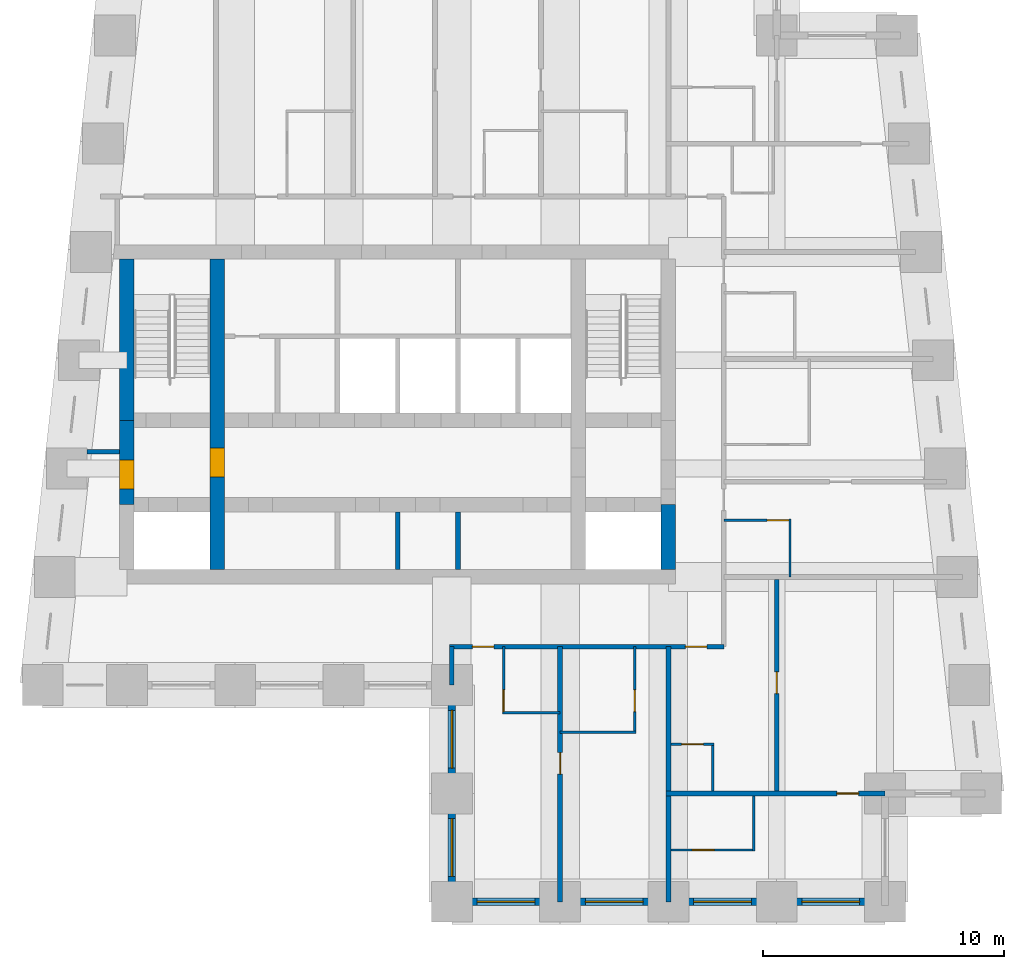
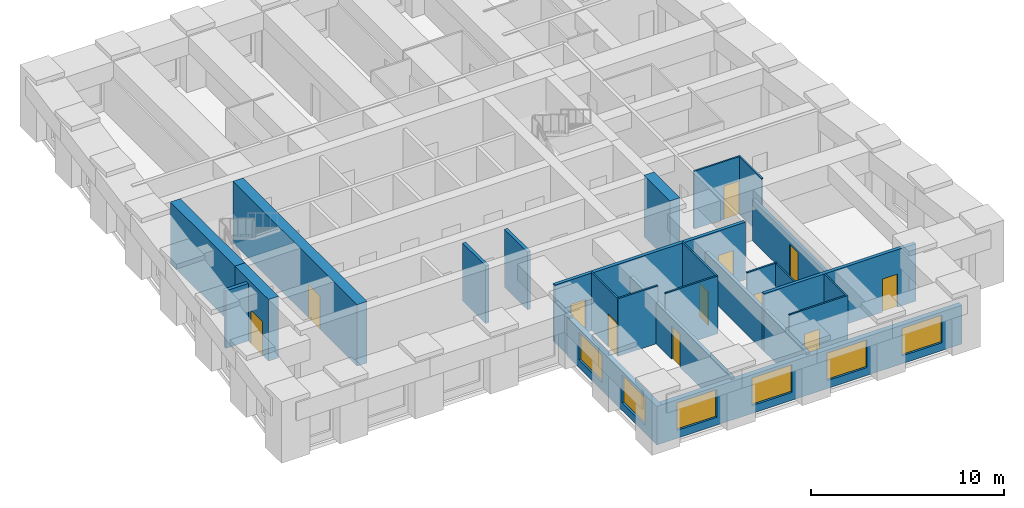
# One storey, part 2 of 7: 25 walls, 12 doors, 6 windows, 18 openings.
"""IFC4 building model written with IfcOpenShell, lengths in metres."""

from ifc_helpers import new_model, si_unit, direction, frame, frame_2d, origin, place, context, subcontext, project, spatial, rectangle, extrude, material, layer, layer_set, type_object, element, fill, save


model = new_model("IFC4")

# Units and contexts
model_context = context("Model", 3, precision=1e-05, world=origin(), true_north=direction((0.0, 1.0)))
body_context = subcontext(model_context, "Body", "Model", "MODEL_VIEW")
ifc_project = project(units=[si_unit("LENGTHUNIT", "METRE"), si_unit("AREAUNIT", "SQUARE_METRE"), si_unit("VOLUMEUNIT", "CUBIC_METRE"), si_unit("PLANEANGLEUNIT", "RADIAN"), si_unit("MASSUNIT", "GRAM", prefix="KILO")], contexts=[model_context])

# Site, building, storey
site_placement = place(None, origin())
site = spatial("IfcSite", under=ifc_project, at=site_placement, CompositionType="ELEMENT")
building_placement = place(site_placement, origin())
building = spatial("IfcBuilding", under=site, at=building_placement, Name="Kilele Tower Hotel", CompositionType="ELEMENT")
storey_placement = place(building_placement, frame((0.0, 0.0, 240.800048828125)))
storey = spatial("IfcBuildingStorey", under=building, at=storey_placement, Name="L62", CompositionType="ELEMENT", Elevation=240.800048828125)

# Wall
ifc_material_1 = material(Name="Moisture-resistant board")
ifc_layer_1 = layer(ifc_material_1, 0.10009765625)
ifc_layer_set_1 = layer_set([ifc_layer_1], Name="Moisture-resistant board")
wall_type_1 = type_object("IfcWallType", Name="Bathroom partition 100", PredefinedType="PLUMBINGWALL", material=ifc_layer_set_1)
wall_1_placement = place(storey_placement, frame((29.10009765625, 7.85009765625, 0.0), z_axis=(0.0, 0.0, 1.0), x_axis=(1.0, 0.0, 0.0)))
element("IfcWall", 1, at=wall_1_placement, inside=storey, type_object=wall_type_1, Name="Bathroom partition 100 L62", PredefinedType="PLUMBINGWALL", context=body_context, shape_type="SweptSolid", body=[
    extrude(rectangle(XDim=2.39990234375, YDim=0.10009765625, at=frame_2d((1.199951171875, 0.0))), origin(), (0.0, 0.0, 1.0), 3.64990234375),
])

# Wall, opening, door
wall_2_placement = place(storey_placement, frame((29.14990234375, 10.60009765625, 0.0), z_axis=(0.0, 0.0, 1.0), x_axis=(0.0, -1.0, 0.0)))
wall_2 = element("IfcWall", 2, at=wall_2_placement, inside=storey, type_object=wall_type_1, Name="Bathroom partition 100 L62", PredefinedType="PLUMBINGWALL", context=body_context, shape_type="SweptSolid", body=[
    extrude(rectangle(XDim=2.800048828125, YDim=0.10009765625, at=frame_2d((1.39990234375, 0.0))), origin(), (0.0, 0.0, 1.0), 3.64990234375),
])
opening_1_placement = place(wall_2_placement, frame((2.699951171875, 0.0, 0.0), z_axis=(0.0, 0.0, 1.0), x_axis=(-1.0, 0.0, 0.0)))
opening_1 = element("IfcOpeningElement", 3, at=opening_1_placement, cuts=wall_2, Name="Opening D2A", PredefinedType="OPENING", context=body_context, shape_type="SweptSolid", body=[
    extrude(rectangle(XDim=0.89990234375, YDim=2.10009765625, at=frame_2d((0.449951171875, 1.050048828125))), frame((0.0, 0.06005859375, 0.0), z_axis=(0.0, -1.0, 0.0), x_axis=(1.0, 0.0, 0.0)), (0.0, 0.0, 1.0), 0.1201171875),
])
ifc_material_2 = material(Name="Timber door leaf in hardwood frame", Category="wood")
door_type_1 = type_object("IfcDoorType", Name="Bathroom door 900", OperationType="SINGLE_SWING_LEFT", PredefinedType="DOOR", material=ifc_material_2)
door_1_placement = place(opening_1_placement, origin())
door_1 = element("IfcDoor", 4, at=door_1_placement, inside=storey, type_object=door_type_1, Name="Bathroom door 6202B", OperationType="SINGLE_SWING_LEFT", OverallHeight=2.10009765625, OverallWidth=0.89990234375, PredefinedType="DOOR", context=body_context, shape_type="SweptSolid", body=[
    extrude(rectangle(XDim=0.89990234375, YDim=2.10009765625, at=frame_2d((0.449951171875, 1.050048828125))), frame((0.0, 0.02490234375, 0.0), z_axis=(0.0, -1.0, 0.0), x_axis=(1.0, 0.0, 0.0)), (0.0, 0.0, 1.0), 0.050048828125),
])
fill(opening_1, door_1)

# Wall
wall_3_placement = place(storey_placement, frame((31.5, 7.050048828125, 0.0), z_axis=(0.0, 0.0, 1.0), x_axis=(1.0, 0.0, 0.0)))
element("IfcWall", 5, at=wall_3_placement, inside=storey, type_object=wall_type_1, Name="Bathroom partition 100 L62", PredefinedType="PLUMBINGWALL", context=body_context, shape_type="SweptSolid", body=[
    extrude(rectangle(XDim=3.14990234375, YDim=0.10009765625, at=frame_2d((1.574951171875, 0.0))), origin(), (0.0, 0.0, 1.0), 3.64990234375),
])

# Wall, opening, door
wall_4_placement = place(storey_placement, frame((34.60009765625, 10.60009765625, 0.0), z_axis=(0.0, 0.0, 1.0), x_axis=(0.0, -1.0, 0.0)))
wall_4 = element("IfcWall", 6, at=wall_4_placement, inside=storey, type_object=wall_type_1, Name="Bathroom partition 100 L62", PredefinedType="PLUMBINGWALL", context=body_context, shape_type="SweptSolid", body=[
    extrude(rectangle(XDim=3.60009765625, YDim=0.10009765625, at=frame_2d((1.800048828125, 0.0))), origin(), (0.0, 0.0, 1.0), 3.64990234375),
])
opening_2_placement = place(wall_4_placement, frame((1.800048828125, 0.0, 0.0)))
opening_2 = element("IfcOpeningElement", 7, at=opening_2_placement, cuts=wall_4, Name="Opening D2A", PredefinedType="OPENING", context=body_context, shape_type="SweptSolid", body=[
    extrude(rectangle(XDim=0.89990234375, YDim=2.10009765625, at=frame_2d((0.449951171875, 1.050048828125))), frame((0.0, 0.06005859375, 0.0), z_axis=(0.0, -1.0, 0.0), x_axis=(1.0, 0.0, 0.0)), (0.0, 0.0, 1.0), 0.1201171875),
])
door_2_placement = place(opening_2_placement, origin())
door_2 = element("IfcDoor", 8, at=door_2_placement, inside=storey, type_object=door_type_1, Name="Bathroom door 6203B", OperationType="SINGLE_SWING_RIGHT", OverallHeight=2.10009765625, OverallWidth=0.89990234375, PredefinedType="DOOR", context=body_context, shape_type="SweptSolid", body=[
    extrude(rectangle(XDim=0.89990234375, YDim=2.10009765625, at=frame_2d((0.449951171875, 1.050048828125))), frame((0.0, 0.02490234375, 0.0), z_axis=(0.0, -1.0, 0.0), x_axis=(1.0, 0.0, 0.0)), (0.0, 0.0, 1.0), 0.050048828125),
])
fill(opening_2, door_2)

# Wall
wall_5_placement = place(storey_placement, frame((41.050048828125, 13.5, 0.0), z_axis=(0.0, 0.0, 1.0), x_axis=(0.0, 1.0, 0.0)))
element("IfcWall", 9, at=wall_5_placement, inside=storey, type_object=wall_type_1, Name="Bathroom partition 100 L62", PredefinedType="PLUMBINGWALL", context=body_context, shape_type="SweptSolid", body=[
    extrude(rectangle(XDim=2.39990234375, YDim=0.10009765625, at=frame_2d((1.199951171875, 0.0))), origin(), (0.0, 0.0, 1.0), 3.64990234375),
])

# Wall, opening, door
wall_6_placement = place(storey_placement, frame((38.300048828125, 15.85009765625, 0.0), z_axis=(0.0, 0.0, 1.0), x_axis=(1.0, 0.0, 0.0)))
wall_6 = element("IfcWall", 10, at=wall_6_placement, inside=storey, type_object=wall_type_1, Name="Bathroom partition 100 L62", PredefinedType="PLUMBINGWALL", context=body_context, shape_type="SweptSolid", body=[
    extrude(rectangle(XDim=2.800048828125, YDim=0.10009765625, at=frame_2d((1.39990234375, 0.0))), origin(), (0.0, 0.0, 1.0), 3.64990234375),
])
opening_3_placement = place(wall_6_placement, frame((1.800048828125, 0.0, 0.0)))
opening_3 = element("IfcOpeningElement", 11, at=opening_3_placement, cuts=wall_6, Name="Opening D2A", PredefinedType="OPENING", context=body_context, shape_type="SweptSolid", body=[
    extrude(rectangle(XDim=0.89990234375, YDim=2.10009765625, at=frame_2d((0.449951171875, 1.050048828125))), frame((0.0, 0.06005859375, 0.0), z_axis=(0.0, -1.0, 0.0), x_axis=(1.0, 0.0, 0.0)), (0.0, 0.0, 1.0), 0.1201171875),
])
door_3_placement = place(opening_3_placement, origin())
door_3 = element("IfcDoor", 12, at=door_3_placement, inside=storey, type_object=door_type_1, Name="Bathroom door 6204B", OperationType="SINGLE_SWING_RIGHT", OverallHeight=2.10009765625, OverallWidth=0.89990234375, PredefinedType="DOOR", context=body_context, shape_type="SweptSolid", body=[
    extrude(rectangle(XDim=0.89990234375, YDim=2.10009765625, at=frame_2d((0.449951171875, 1.050048828125))), frame((0.0, 0.02490234375, 0.0), z_axis=(0.0, -1.0, 0.0), x_axis=(1.0, 0.0, 0.0)), (0.0, 0.0, 1.0), 0.050048828125),
])
fill(opening_3, door_3)

# Wall
wall_7_placement = place(storey_placement, frame((37.85009765625, 4.60009765625, 0.0), z_axis=(0.0, 0.0, 1.0), x_axis=(0.0, 1.0, 0.0)))
element("IfcWall", 13, at=wall_7_placement, inside=storey, type_object=wall_type_1, Name="Bathroom partition 100 L62", PredefinedType="PLUMBINGWALL", context=body_context, shape_type="SweptSolid", body=[
    extrude(rectangle(XDim=2.0, YDim=0.10009765625, at=frame_2d((1.0, 0.0))), origin(), (0.0, 0.0, 1.0), 3.64990234375),
])

# Wall, opening, door
wall_8_placement = place(storey_placement, frame((36.10009765625, 6.550048828125, 0.0), z_axis=(0.0, 0.0, 1.0), x_axis=(1.0, 0.0, 0.0)))
wall_8 = element("IfcWall", 14, at=wall_8_placement, inside=storey, type_object=wall_type_1, Name="Bathroom partition 100 L62", PredefinedType="PLUMBINGWALL", context=body_context, shape_type="SweptSolid", body=[
    extrude(rectangle(XDim=1.7998046875, YDim=0.10009765625, at=frame_2d((0.89990234375, 0.0))), origin(), (0.0, 0.0, 1.0), 3.64990234375),
])
opening_4_placement = place(wall_8_placement, frame((0.449951171875, 0.0, 0.0)))
opening_4 = element("IfcOpeningElement", 15, at=opening_4_placement, cuts=wall_8, Name="Opening D2A", PredefinedType="OPENING", context=body_context, shape_type="SweptSolid", body=[
    extrude(rectangle(XDim=0.89990234375, YDim=2.10009765625, at=frame_2d((0.449951171875, 1.050048828125))), frame((0.0, 0.06005859375, 0.0), z_axis=(0.0, -1.0, 0.0), x_axis=(1.0, 0.0, 0.0)), (0.0, 0.0, 1.0), 0.1201171875),
])
door_4_placement = place(opening_4_placement, origin())
door_4 = element("IfcDoor", 16, at=door_4_placement, inside=storey, type_object=door_type_1, Name="Bathroom door 6212P", OperationType="SINGLE_SWING_LEFT", OverallHeight=2.10009765625, OverallWidth=0.89990234375, PredefinedType="DOOR", context=body_context, shape_type="SweptSolid", body=[
    extrude(rectangle(XDim=0.89990234375, YDim=2.10009765625, at=frame_2d((0.449951171875, 1.050048828125))), frame((0.0, 0.02490234375, 0.0), z_axis=(0.0, -1.0, 0.0), x_axis=(1.0, 0.0, 0.0)), (0.0, 0.0, 1.0), 0.050048828125),
])
fill(opening_4, door_4)

# Wall
wall_9_placement = place(storey_placement, frame((39.550048828125, 4.39990234375, 0.0), z_axis=(0.0, 0.0, 1.0), x_axis=(0.0, -1.0, 0.0)))
element("IfcWall", 17, at=wall_9_placement, inside=storey, type_object=wall_type_1, Name="Bathroom partition 100 L62", PredefinedType="PLUMBINGWALL", context=body_context, shape_type="SweptSolid", body=[
    extrude(rectangle(XDim=2.2998046875, YDim=0.10009765625, at=frame_2d((1.14990234375, 0.0))), origin(), (0.0, 0.0, 1.0), 3.64990234375),
])

# Wall, opening, door
wall_10_placement = place(storey_placement, frame((36.10009765625, 2.14990234375, 0.0), z_axis=(0.0, 0.0, 1.0), x_axis=(1.0, 0.0, 0.0)))
wall_10 = element("IfcWall", 18, at=wall_10_placement, inside=storey, type_object=wall_type_1, Name="Bathroom partition 100 L62", PredefinedType="PLUMBINGWALL", context=body_context, shape_type="SweptSolid", body=[
    extrude(rectangle(XDim=3.5, YDim=0.10009765625, at=frame_2d((1.75, 0.0))), origin(), (0.0, 0.0, 1.0), 3.64990234375),
])
opening_5_placement = place(wall_10_placement, frame((1.7998046875, 0.0, 0.0), z_axis=(0.0, 0.0, 1.0), x_axis=(-1.0, 0.0, 0.0)))
opening_5 = element("IfcOpeningElement", 19, at=opening_5_placement, cuts=wall_10, Name="Opening D2A", PredefinedType="OPENING", context=body_context, shape_type="SweptSolid", body=[
    extrude(rectangle(XDim=0.89990234375, YDim=2.10009765625, at=frame_2d((0.449951171875, 1.050048828125))), frame((0.0, 0.06005859375, 0.0), z_axis=(0.0, -1.0, 0.0), x_axis=(1.0, 0.0, 0.0)), (0.0, 0.0, 1.0), 0.1201171875),
])
door_5_placement = place(opening_5_placement, origin())
door_5 = element("IfcDoor", 20, at=door_5_placement, inside=storey, type_object=door_type_1, Name="Bathroom door 6214B", OperationType="SINGLE_SWING_RIGHT", OverallHeight=2.10009765625, OverallWidth=0.89990234375, PredefinedType="DOOR", context=body_context, shape_type="SweptSolid", body=[
    extrude(rectangle(XDim=0.89990234375, YDim=2.10009765625, at=frame_2d((0.449951171875, 1.050048828125))), frame((0.0, 0.02490234375, 0.0), z_axis=(0.0, -1.0, 0.0), x_axis=(1.0, 0.0, 0.0)), (0.0, 0.0, 1.0), 0.050048828125),
])
fill(opening_5, door_5)

ifc_material_3 = material(Name="Concrete C60/75", Category="concrete")
ifc_layer_2 = layer(ifc_material_3, 0.60009765625)
ifc_layer_set_2 = layer_set([ifc_layer_2], Name="Concrete C60/75")
wall_type_2 = type_object("IfcWallType", Name="Core wall 600 C60/75", PredefinedType="SHEAR", material=ifc_layer_set_2)
wall_11_placement = place(storey_placement, frame((17.25, 13.800048828125, 0.0), z_axis=(0.0, 0.0, 1.0), x_axis=(0.0, 1.0, 0.0)))
wall_11 = element("IfcWall", 21, at=wall_11_placement, inside=storey, type_object=wall_type_2, Name="Core wall IW L62", PredefinedType="SHEAR", context=body_context, shape_type="SweptSolid", body=[
    extrude(rectangle(XDim=12.89990234375, YDim=0.60009765625, at=frame_2d((6.449951171875, 0.0))), origin(), (0.0, 0.0, 1.0), 3.89990234375),
])
opening_6_placement = place(wall_11_placement, frame((3.85009765625, 0.0, 0.0)))
opening_6 = element("IfcOpeningElement", 22, at=opening_6_placement, cuts=wall_11, Name="Opening D4", PredefinedType="OPENING", context=body_context, shape_type="SweptSolid", body=[
    extrude(rectangle(XDim=1.199951171875, YDim=2.10009765625, at=frame_2d((0.60009765625, 1.050048828125))), frame((0.0, 0.31005859375, 0.0), z_axis=(0.0, -1.0, 0.0), x_axis=(1.0, 0.0, 0.0)), (0.0, 0.0, 1.0), 0.6201171875),
])
ifc_material_4 = material(Name="Timber door leaf in hardwood frame", Category="wood")
door_type_2 = type_object("IfcDoorType", Name="Firefighting lobby door 1200", OperationType="SINGLE_SWING_LEFT", PredefinedType="DOOR", material=ifc_material_4)
door_6_placement = place(opening_6_placement, origin())
door_6 = element("IfcDoor", 23, at=door_6_placement, inside=storey, type_object=door_type_2, Name="Lobby door L62", OperationType="SINGLE_SWING_LEFT", OverallHeight=2.10009765625, OverallWidth=1.199951171875, PredefinedType="DOOR", context=body_context, shape_type="SweptSolid", body=[
    extrude(rectangle(XDim=1.199951171875, YDim=2.10009765625, at=frame_2d((0.60009765625, 1.050048828125))), frame((0.0, 0.2998046875, 0.0), z_axis=(0.0, -1.0, 0.0), x_axis=(1.0, 0.0, 0.0)), (0.0, 0.0, 1.0), 0.599609375),
])
fill(opening_6, door_6)

# Wall
wall_12_placement = place(storey_placement, frame((13.5, 26.699951171875, 0.0), z_axis=(0.0, 0.0, 1.0), x_axis=(0.0, -1.0, 0.0)))
element("IfcWall", 24, at=wall_12_placement, inside=storey, type_object=wall_type_2, Name="Core wall W1 L62", PredefinedType="SHEAR", context=body_context, shape_type="SweptSolid", body=[
    extrude(rectangle(XDim=6.699951171875, YDim=0.60009765625, at=frame_2d((3.35009765625, 0.0))), origin(), (0.0, 0.0, 1.0), 3.89990234375),
])

# Wall, opening, door
wall_13_placement = place(storey_placement, frame((13.5, 20.0, 0.0), z_axis=(0.0, 0.0, 1.0), x_axis=(0.0, -1.0, 0.0)))
wall_13 = element("IfcWall", 25, at=wall_13_placement, inside=storey, type_object=wall_type_2, Name="Core wall W2 L62", PredefinedType="SHEAR", context=body_context, shape_type="SweptSolid", body=[
    extrude(rectangle(XDim=3.5, YDim=0.60009765625, at=frame_2d((1.75, 0.0))), origin(), (0.0, 0.0, 1.0), 3.89990234375),
])
opening_7_placement = place(wall_13_placement, frame((1.64990234375, 0.0, 0.0)))
opening_7 = element("IfcOpeningElement", 26, at=opening_7_placement, cuts=wall_13, Name="Opening D4", PredefinedType="OPENING", context=body_context, shape_type="SweptSolid", body=[
    extrude(rectangle(XDim=1.199951171875, YDim=2.10009765625, at=frame_2d((0.60009765625, 1.050048828125))), frame((0.0, 0.31005859375, 0.0), z_axis=(0.0, -1.0, 0.0), x_axis=(1.0, 0.0, 0.0)), (0.0, 0.0, 1.0), 0.6201171875),
])
door_7_placement = place(opening_7_placement, origin())
door_7 = element("IfcDoor", 27, at=door_7_placement, inside=storey, type_object=door_type_2, Name="Lobby door L62", OperationType="SINGLE_SWING_RIGHT", OverallHeight=2.10009765625, OverallWidth=1.199951171875, PredefinedType="DOOR", context=body_context, shape_type="SweptSolid", body=[
    extrude(rectangle(XDim=1.199951171875, YDim=2.10009765625, at=frame_2d((0.60009765625, 1.050048828125))), frame((0.0, 0.2998046875, 0.0), z_axis=(0.0, -1.0, 0.0), x_axis=(1.0, 0.0, 0.0)), (0.0, 0.0, 1.0), 0.599609375),
])
fill(opening_7, door_7)

# Wall
wall_14_placement = place(storey_placement, frame((36.0, 13.800048828125, 0.0), z_axis=(0.0, 0.0, 1.0), x_axis=(0.0, 1.0, 0.0)))
element("IfcWall", 28, at=wall_14_placement, inside=storey, type_object=wall_type_2, Name="Core wall E1 L62", PredefinedType="SHEAR", context=body_context, shape_type="SweptSolid", body=[
    extrude(rectangle(XDim=2.699951171875, YDim=0.60009765625, at=frame_2d((1.35009765625, 0.0))), origin(), (0.0, 0.0, 1.0), 3.89990234375),
])

# Wall, openings, doors
ifc_material_5 = material(Name="Blockwork, plastered both sides", Category="masonry")
ifc_layer_3 = layer(ifc_material_5, 0.199951171875)
ifc_layer_set_3 = layer_set([ifc_layer_3], Name="Blockwork, plastered both sides")
wall_type_3 = type_object("IfcWallType", Name="Corridor wall 200", PredefinedType="PARTITIONING", material=ifc_layer_set_3)
wall_15_placement = place(storey_placement, frame((26.89990234375, 10.60009765625, 0.0), z_axis=(0.0, 0.0, 1.0), x_axis=(1.0, 0.0, 0.0)))
wall_15 = element("IfcWall", 29, at=wall_15_placement, inside=storey, type_object=wall_type_3, Name="Corridor wall 200 L62", PredefinedType="PARTITIONING", context=body_context, shape_type="SweptSolid", body=[
    extrude(rectangle(XDim=11.400146484375, YDim=0.199951171875, at=frame_2d((5.7001953125, 0.0))), origin(), (0.0, 0.0, 1.0), 3.64990234375),
])
opening_8_placement = place(wall_15_placement, frame((1.849853515625, 0.0, 0.0), z_axis=(0.0, 0.0, 1.0), x_axis=(-1.0, 0.0, 0.0)))
opening_8 = element("IfcOpeningElement", 30, at=opening_8_placement, cuts=wall_15, Name="Opening D1", PredefinedType="OPENING", context=body_context, shape_type="SweptSolid", body=[
    extrude(rectangle(XDim=0.89990234375, YDim=2.10009765625, at=frame_2d((0.449951171875, 1.050048828125))), frame((0.0, 0.10986328125, 0.0), z_axis=(0.0, -1.0, 0.0), x_axis=(1.0, 0.0, 0.0)), (0.0, 0.0, 1.0), 0.219970703125),
])
opening_9_placement = place(wall_15_placement, frame((10.699951171875, 0.0, 0.0), z_axis=(0.0, 0.0, 1.0), x_axis=(-1.0, 0.0, 0.0)))
opening_9 = element("IfcOpeningElement", 31, at=opening_9_placement, cuts=wall_15, Name="Opening D1", PredefinedType="OPENING", context=body_context, shape_type="SweptSolid", body=[
    extrude(rectangle(XDim=0.89990234375, YDim=2.10009765625, at=frame_2d((0.449951171875, 1.050048828125))), frame((0.0, 0.10986328125, 0.0), z_axis=(0.0, -1.0, 0.0), x_axis=(1.0, 0.0, 0.0)), (0.0, 0.0, 1.0), 0.219970703125),
])
ifc_material_6 = material(Name="Timber door leaf in hardwood frame", Category="wood")
door_type_3 = type_object("IfcDoorType", Name="Guest room entrance door 900", OperationType="SINGLE_SWING_LEFT", PredefinedType="DOOR", material=ifc_material_6)
door_8_placement = place(opening_8_placement, origin())
door_8 = element("IfcDoor", 32, at=door_8_placement, inside=storey, type_object=door_type_3, Name="Room entrance 6202", OperationType="SINGLE_SWING_LEFT", OverallHeight=2.10009765625, OverallWidth=0.89990234375, PredefinedType="DOOR", context=body_context, shape_type="SweptSolid", body=[
    extrude(rectangle(XDim=0.89990234375, YDim=2.10009765625, at=frame_2d((0.449951171875, 1.050048828125))), frame((0.0, 0.02490234375, 0.0), z_axis=(0.0, -1.0, 0.0), x_axis=(1.0, 0.0, 0.0)), (0.0, 0.0, 1.0), 0.050048828125),
])
fill(opening_8, door_8)
door_9_placement = place(opening_9_placement, origin())
door_9 = element("IfcDoor", 33, at=door_9_placement, inside=storey, type_object=door_type_3, Name="Room entrance 6212", OperationType="SINGLE_SWING_RIGHT", OverallHeight=2.10009765625, OverallWidth=0.89990234375, PredefinedType="DOOR", context=body_context, shape_type="SweptSolid", body=[
    extrude(rectangle(XDim=0.89990234375, YDim=2.10009765625, at=frame_2d((0.449951171875, 1.050048828125))), frame((0.0, 0.02490234375, 0.0), z_axis=(0.0, -1.0, 0.0), x_axis=(1.0, 0.0, 0.0)), (0.0, 0.0, 1.0), 0.050048828125),
])
fill(opening_9, door_9)

# Wall
ifc_material_7 = material(Name="Blockwork, plastered both sides", Category="masonry")
ifc_layer_4 = layer(ifc_material_7, 0.199951171875)
ifc_layer_set_4 = layer_set([ifc_layer_4], Name="Blockwork, plastered both sides")
wall_type_4 = type_object("IfcWallType", Name="Partition wall 200", PredefinedType="PARTITIONING", material=ifc_layer_set_4)
wall_16_placement = place(storey_placement, frame((13.199951171875, 18.699951171875, 0.0), z_axis=(0.0, 0.0, 1.0), x_axis=(-1.0, 0.0, 0.0)))
element("IfcWall", 34, at=wall_16_placement, inside=storey, type_object=wall_type_4, Name="Partition wall 200 L62", PredefinedType="PARTITIONING", context=body_context, shape_type="SweptSolid", body=[
    extrude(rectangle(XDim=1.349853515625, YDim=0.199951171875, at=frame_2d((0.6748046875, 0.0))), origin(), (0.0, 0.0, 1.0), 3.64990234375),
])

# Wall, opening, door
wall_17_placement = place(storey_placement, frame((40.5, 4.60009765625, 0.0), z_axis=(0.0, 0.0, 1.0), x_axis=(0.0, 1.0, 0.0)))
wall_17 = element("IfcWall", 35, at=wall_17_placement, inside=storey, type_object=wall_type_4, Name="Partition wall 200 L62", PredefinedType="PARTITIONING", context=body_context, shape_type="SweptSolid", body=[
    extrude(rectangle(XDim=8.7998046875, YDim=0.199951171875, at=frame_2d((4.39990234375, 0.0))), origin(), (0.0, 0.0, 1.0), 2.599853515625),
])
opening_10_placement = place(wall_17_placement, frame((4.050048828125, 0.0, 0.0)))
opening_10 = element("IfcOpeningElement", 36, at=opening_10_placement, cuts=wall_17, Name="Opening D3", PredefinedType="OPENING", context=body_context, shape_type="SweptSolid", body=[
    extrude(rectangle(XDim=0.89990234375, YDim=2.10009765625, at=frame_2d((0.449951171875, 1.050048828125))), frame((0.0, 0.10986328125, 0.0), z_axis=(0.0, -1.0, 0.0), x_axis=(1.0, 0.0, 0.0)), (0.0, 0.0, 1.0), 0.219970703125),
])
ifc_material_8 = material(Name="Timber door leaf in hardwood frame", Category="wood")
door_type_4 = type_object("IfcDoorType", Name="Suite internal door 900", OperationType="SINGLE_SWING_LEFT", PredefinedType="DOOR", material=ifc_material_8)
door_10_placement = place(opening_10_placement, origin())
door_10 = element("IfcDoor", 37, at=door_10_placement, inside=storey, type_object=door_type_4, Name="Suite door 6213", OperationType="SINGLE_SWING_RIGHT", OverallHeight=2.10009765625, OverallWidth=0.89990234375, PredefinedType="DOOR", context=body_context, shape_type="SweptSolid", body=[
    extrude(rectangle(XDim=0.89990234375, YDim=2.10009765625, at=frame_2d((0.449951171875, 1.050048828125))), frame((0.0, 0.02490234375, 0.0), z_axis=(0.0, -1.0, 0.0), x_axis=(1.0, 0.0, 0.0)), (0.0, 0.0, 1.0), 0.050048828125),
])
fill(opening_10, door_10)

# Wall
ifc_material_9 = material(Name="Blockwork, plastered both sides", Category="masonry")
ifc_layer_5 = layer(ifc_material_9, 0.199951171875)
ifc_layer_set_5 = layer_set([ifc_layer_5], Name="Blockwork, plastered both sides")
wall_type_5 = type_object("IfcWallType", Name="Party wall 200", PredefinedType="PARTITIONING", material=ifc_layer_set_5)
wall_18_placement = place(storey_placement, frame((27.0, 10.60009765625, 0.0), z_axis=(0.0, 0.0, 1.0), x_axis=(0.0, -1.0, 0.0)))
element("IfcWall", 38, at=wall_18_placement, inside=storey, type_object=wall_type_5, Name="Party wall 200 L62", PredefinedType="PARTITIONING", context=body_context, shape_type="SweptSolid", body=[
    extrude(rectangle(XDim=1.60009765625, YDim=0.199951171875, at=frame_2d((0.800048828125, 0.0))), origin(), (0.0, 0.0, 1.0), 2.599853515625),
])

# Wall, opening, door
wall_19_placement = place(storey_placement, frame((31.5, 10.60009765625, 0.0), z_axis=(0.0, 0.0, 1.0), x_axis=(0.0, -1.0, 0.0)))
wall_19 = element("IfcWall", 39, at=wall_19_placement, inside=storey, type_object=wall_type_5, Name="Party wall 200 L62", PredefinedType="PARTITIONING", context=body_context, shape_type="SweptSolid", body=[
    extrude(rectangle(XDim=10.60009765625, YDim=0.199951171875, at=frame_2d((5.300048828125, 0.0))), origin(), (0.0, 0.0, 1.0), 2.599853515625),
])
opening_11_placement = place(wall_19_placement, frame((4.39990234375, 0.0, 0.0)))
opening_11 = element("IfcOpeningElement", 40, at=opening_11_placement, cuts=wall_19, Name="Opening D3", PredefinedType="OPENING", context=body_context, shape_type="SweptSolid", body=[
    extrude(rectangle(XDim=0.89990234375, YDim=2.10009765625, at=frame_2d((0.449951171875, 1.050048828125))), frame((0.0, 0.10986328125, 0.0), z_axis=(0.0, -1.0, 0.0), x_axis=(1.0, 0.0, 0.0)), (0.0, 0.0, 1.0), 0.219970703125),
])
door_11_placement = place(opening_11_placement, origin())
door_11 = element("IfcDoor", 41, at=door_11_placement, inside=storey, type_object=door_type_4, Name="Suite door 6203", OperationType="SINGLE_SWING_LEFT", OverallHeight=2.10009765625, OverallWidth=0.89990234375, PredefinedType="DOOR", context=body_context, shape_type="SweptSolid", body=[
    extrude(rectangle(XDim=0.89990234375, YDim=2.10009765625, at=frame_2d((0.449951171875, 1.050048828125))), frame((0.0, 0.02490234375, 0.0), z_axis=(0.0, -1.0, 0.0), x_axis=(1.0, 0.0, 0.0)), (0.0, 0.0, 1.0), 0.050048828125),
])
fill(opening_11, door_11)

# Wall
wall_20_placement = place(storey_placement, frame((36.0, 10.60009765625, 0.0), z_axis=(0.0, 0.0, 1.0), x_axis=(0.0, -1.0, 0.0)))
element("IfcWall", 42, at=wall_20_placement, inside=storey, type_object=wall_type_5, Name="Party wall 200 L62", PredefinedType="PARTITIONING", context=body_context, shape_type="SweptSolid", body=[
    extrude(rectangle(XDim=10.60009765625, YDim=0.199951171875, at=frame_2d((5.300048828125, 0.0))), origin(), (0.0, 0.0, 1.0), 2.599853515625),
])

# Wall, opening, door
wall_21_placement = place(storey_placement, frame((35.89990234375, 4.5, 0.0), z_axis=(0.0, 0.0, 1.0), x_axis=(1.0, 0.0, 0.0)))
wall_21 = element("IfcWall", 43, at=wall_21_placement, inside=storey, type_object=wall_type_5, Name="Party wall 200 L62", PredefinedType="PARTITIONING", context=body_context, shape_type="SweptSolid", body=[
    extrude(rectangle(XDim=9.10009765625, YDim=0.199951171875, at=frame_2d((4.550048828125, 0.0))), origin(), (0.0, 0.0, 1.0), 3.64990234375),
])
opening_12_placement = place(wall_21_placement, frame((7.10009765625, 0.0, 0.0)))
opening_12 = element("IfcOpeningElement", 44, at=opening_12_placement, cuts=wall_21, Name="Opening D3", PredefinedType="OPENING", context=body_context, shape_type="SweptSolid", body=[
    extrude(rectangle(XDim=0.89990234375, YDim=2.10009765625, at=frame_2d((0.449951171875, 1.050048828125))), frame((0.0, 0.10986328125, 0.0), z_axis=(0.0, -1.0, 0.0), x_axis=(1.0, 0.0, 0.0)), (0.0, 0.0, 1.0), 0.219970703125),
])
door_12_placement = place(opening_12_placement, origin())
door_12 = element("IfcDoor", 45, at=door_12_placement, inside=storey, type_object=door_type_4, Name="Suite door 6214", OperationType="SINGLE_SWING_RIGHT", OverallHeight=2.10009765625, OverallWidth=0.89990234375, PredefinedType="DOOR", context=body_context, shape_type="SweptSolid", body=[
    extrude(rectangle(XDim=0.89990234375, YDim=2.10009765625, at=frame_2d((0.449951171875, 1.050048828125))), frame((0.0, 0.02490234375, 0.0), z_axis=(0.0, -1.0, 0.0), x_axis=(1.0, 0.0, 0.0)), (0.0, 0.0, 1.0), 0.050048828125),
])
fill(opening_12, door_12)

# Wall, openings, windows
ifc_material_10 = material(Name="Concrete C40/50 precast", Category="concrete")
ifc_layer_6 = layer(ifc_material_10, 0.260009765625, Name="Precast backing", Category="LoadBearing")
ifc_material_11 = material(Name="Reconstituted stone finish", Category="masonry")
ifc_layer_7 = layer(ifc_material_11, 0.0400390625, Name="Face mix", Category="Finish")
ifc_layer_set_6 = layer_set([ifc_layer_6, ifc_layer_7], Name="Precast concrete C40/50, reconstituted stone finish")
wall_type_6 = type_object("IfcWallType", Name="Precast stone facade wall 300", PredefinedType="STANDARD", material=ifc_layer_set_6)
wall_22_placement = place(storey_placement, frame((27.0, 9.14990234375, 0.0), z_axis=(0.0, 0.0, 1.0), x_axis=(0.0, -1.0, 0.0)))
wall_22 = element("IfcWall", 46, at=wall_22_placement, inside=storey, type_object=wall_type_6, Name="Facade wall L62 edge 2", PredefinedType="STANDARD", context=body_context, shape_type="SweptSolid", body=[
    extrude(rectangle(XDim=9.2998046875, YDim=0.300048828125, at=frame_2d((4.64990234375, 0.0))), origin(), (0.0, 0.0, 1.0), 2.449951171875),
])
opening_13_placement = place(wall_22_placement, frame((1.199951171875, 0.0, 0.5)))
opening_13 = element("IfcOpeningElement", 47, at=opening_13_placement, cuts=wall_22, Name="Opening W4", PredefinedType="OPENING", context=body_context, shape_type="SweptSolid", body=[
    extrude(rectangle(XDim=2.39990234375, YDim=1.75, at=frame_2d((1.199951171875, 0.875))), frame((0.0, 0.159912109375, 0.0), z_axis=(0.0, -1.0, 0.0), x_axis=(1.0, 0.0, 0.0)), (0.0, 0.0, 1.0), 0.320068359375),
])
opening_14_placement = place(wall_22_placement, frame((5.699951171875, 0.0, 0.5)))
opening_14 = element("IfcOpeningElement", 48, at=opening_14_placement, cuts=wall_22, Name="Opening W4", PredefinedType="OPENING", context=body_context, shape_type="SweptSolid", body=[
    extrude(rectangle(XDim=2.39990234375, YDim=1.75, at=frame_2d((1.199951171875, 0.875))), frame((0.0, 0.159912109375, 0.0), z_axis=(0.0, -1.0, 0.0), x_axis=(1.0, 0.0, 0.0)), (0.0, 0.0, 1.0), 0.320068359375),
])
ifc_material_12 = material(Name="Aluminium frame, clear double glazing", Category="aluminium")
window_type = type_object("IfcWindowType", Name="Window W4 2400 x 1750", PartitioningType="SINGLE_PANEL", PredefinedType="WINDOW", material=ifc_material_12)
window_1_placement = place(opening_13_placement, origin())
window_1 = element("IfcWindow", 49, at=window_1_placement, inside=storey, type_object=window_type, Name="Window L62", OverallHeight=1.75, OverallWidth=2.39990234375, PartitioningType="SINGLE_PANEL", PredefinedType="WINDOW", context=body_context, shape_type="SweptSolid", body=[
    extrude(rectangle(XDim=2.39990234375, YDim=1.75, at=frame_2d((1.199951171875, 0.875))), frame((0.0, 0.030029296875, 0.0), z_axis=(0.0, -1.0, 0.0), x_axis=(1.0, 0.0, 0.0)), (0.0, 0.0, 1.0), 0.06005859375),
])
fill(opening_13, window_1)
window_2_placement = place(opening_14_placement, origin())
window_2 = element("IfcWindow", 50, at=window_2_placement, inside=storey, type_object=window_type, Name="Window L62", OverallHeight=1.75, OverallWidth=2.39990234375, PartitioningType="SINGLE_PANEL", PredefinedType="WINDOW", context=body_context, shape_type="SweptSolid", body=[
    extrude(rectangle(XDim=2.39990234375, YDim=1.75, at=frame_2d((1.199951171875, 0.875))), frame((0.0, 0.030029296875, 0.0), z_axis=(0.0, -1.0, 0.0), x_axis=(1.0, 0.0, 0.0)), (0.0, 0.0, 1.0), 0.06005859375),
])
fill(opening_14, window_2)

wall_23_placement = place(storey_placement, frame((26.85009765625, 0.0, 0.0), z_axis=(0.0, 0.0, 1.0), x_axis=(1.0, 0.0, 0.0)))
wall_23 = element("IfcWall", 51, at=wall_23_placement, inside=storey, type_object=wall_type_6, Name="Facade wall L62 edge 3", PredefinedType="STANDARD", context=body_context, shape_type="SweptSolid", body=[
    extrude(rectangle(XDim=18.2998046875, YDim=0.300048828125, at=frame_2d((9.14990234375, 0.0))), origin(), (0.0, 0.0, 1.0), 2.449951171875),
])
opening_15_placement = place(wall_23_placement, frame((1.199951171875, 0.0, 0.5)))
opening_15 = element("IfcOpeningElement", 52, at=opening_15_placement, cuts=wall_23, Name="Opening W4", PredefinedType="OPENING", context=body_context, shape_type="SweptSolid", body=[
    extrude(rectangle(XDim=2.39990234375, YDim=1.75, at=frame_2d((1.199951171875, 0.875))), frame((0.0, 0.159912109375, 0.0), z_axis=(0.0, -1.0, 0.0), x_axis=(1.0, 0.0, 0.0)), (0.0, 0.0, 1.0), 0.320068359375),
])
opening_16_placement = place(wall_23_placement, frame((5.699951171875, 0.0, 0.5)))
opening_16 = element("IfcOpeningElement", 53, at=opening_16_placement, cuts=wall_23, Name="Opening W4", PredefinedType="OPENING", context=body_context, shape_type="SweptSolid", body=[
    extrude(rectangle(XDim=2.39990234375, YDim=1.75, at=frame_2d((1.199951171875, 0.875))), frame((0.0, 0.159912109375, 0.0), z_axis=(0.0, -1.0, 0.0), x_axis=(1.0, 0.0, 0.0)), (0.0, 0.0, 1.0), 0.320068359375),
])
opening_17_placement = place(wall_23_placement, frame((10.199951171875, 0.0, 0.5)))
opening_17 = element("IfcOpeningElement", 54, at=opening_17_placement, cuts=wall_23, Name="Opening W4", PredefinedType="OPENING", context=body_context, shape_type="SweptSolid", body=[
    extrude(rectangle(XDim=2.39990234375, YDim=1.75, at=frame_2d((1.199951171875, 0.875))), frame((0.0, 0.159912109375, 0.0), z_axis=(0.0, -1.0, 0.0), x_axis=(1.0, 0.0, 0.0)), (0.0, 0.0, 1.0), 0.320068359375),
])
opening_18_placement = place(wall_23_placement, frame((14.699951171875, 0.0, 0.5)))
opening_18 = element("IfcOpeningElement", 55, at=opening_18_placement, cuts=wall_23, Name="Opening W4", PredefinedType="OPENING", context=body_context, shape_type="SweptSolid", body=[
    extrude(rectangle(XDim=2.39990234375, YDim=1.75, at=frame_2d((1.199951171875, 0.875))), frame((0.0, 0.159912109375, 0.0), z_axis=(0.0, -1.0, 0.0), x_axis=(1.0, 0.0, 0.0)), (0.0, 0.0, 1.0), 0.320068359375),
])
window_3_placement = place(opening_15_placement, origin())
window_3 = element("IfcWindow", 56, at=window_3_placement, inside=storey, type_object=window_type, Name="Window L62", OverallHeight=1.75, OverallWidth=2.39990234375, PartitioningType="SINGLE_PANEL", PredefinedType="WINDOW", context=body_context, shape_type="SweptSolid", body=[
    extrude(rectangle(XDim=2.39990234375, YDim=1.75, at=frame_2d((1.199951171875, 0.875))), frame((0.0, 0.030029296875, 0.0), z_axis=(0.0, -1.0, 0.0), x_axis=(1.0, 0.0, 0.0)), (0.0, 0.0, 1.0), 0.06005859375),
])
fill(opening_15, window_3)
window_4_placement = place(opening_16_placement, origin())
window_4 = element("IfcWindow", 57, at=window_4_placement, inside=storey, type_object=window_type, Name="Window L62", OverallHeight=1.75, OverallWidth=2.39990234375, PartitioningType="SINGLE_PANEL", PredefinedType="WINDOW", context=body_context, shape_type="SweptSolid", body=[
    extrude(rectangle(XDim=2.39990234375, YDim=1.75, at=frame_2d((1.199951171875, 0.875))), frame((0.0, 0.030029296875, 0.0), z_axis=(0.0, -1.0, 0.0), x_axis=(1.0, 0.0, 0.0)), (0.0, 0.0, 1.0), 0.06005859375),
])
fill(opening_16, window_4)
window_5_placement = place(opening_17_placement, origin())
window_5 = element("IfcWindow", 58, at=window_5_placement, inside=storey, type_object=window_type, Name="Window L62", OverallHeight=1.75, OverallWidth=2.39990234375, PartitioningType="SINGLE_PANEL", PredefinedType="WINDOW", context=body_context, shape_type="SweptSolid", body=[
    extrude(rectangle(XDim=2.39990234375, YDim=1.75, at=frame_2d((1.199951171875, 0.875))), frame((0.0, 0.030029296875, 0.0), z_axis=(0.0, -1.0, 0.0), x_axis=(1.0, 0.0, 0.0)), (0.0, 0.0, 1.0), 0.06005859375),
])
fill(opening_17, window_5)
window_6_placement = place(opening_18_placement, origin())
window_6 = element("IfcWindow", 59, at=window_6_placement, inside=storey, type_object=window_type, Name="Window L62", OverallHeight=1.75, OverallWidth=2.39990234375, PartitioningType="SINGLE_PANEL", PredefinedType="WINDOW", context=body_context, shape_type="SweptSolid", body=[
    extrude(rectangle(XDim=2.39990234375, YDim=1.75, at=frame_2d((1.199951171875, 0.875))), frame((0.0, 0.030029296875, 0.0), z_axis=(0.0, -1.0, 0.0), x_axis=(1.0, 0.0, 0.0)), (0.0, 0.0, 1.0), 0.06005859375),
])
fill(opening_18, window_6)

# Walls
ifc_material_13 = material(Name="Blockwork, fire-rated", Category="masonry")
ifc_layer_8 = layer(ifc_material_13, 0.199951171875)
ifc_layer_set_7 = layer_set([ifc_layer_8], Name="Blockwork, fire-rated")
wall_type_7 = type_object("IfcWallType", Name="Shaft wall 200", PredefinedType="PARTITIONING", material=ifc_layer_set_7)
for number, where, z_axis, x_axis, name in (
    (60, (24.75, 13.800048828125, 0.0), (0.0, 0.0, 1.0), (0.0, 1.0, 0.0), "Shaft wall 200 L62"),
    (61, (27.25, 13.800048828125, 0.0), (0.0, 0.0, 1.0), (0.0, 1.0, 0.0), "Shaft wall 200 L62"),
):
    element("IfcWall", number, at=place(storey_placement, frame(where, z_axis=z_axis, x_axis=x_axis)), inside=storey, type_object=wall_type_7, Name=name, PredefinedType="PARTITIONING", context=body_context, shape_type="SweptSolid", body=[
        extrude(rectangle(XDim=2.39990234375, YDim=0.199951171875, at=frame_2d((1.199951171875, 0.0))), origin(), (0.0, 0.0, 1.0), 3.64990234375),
    ])

save(model, "model.ifc")
